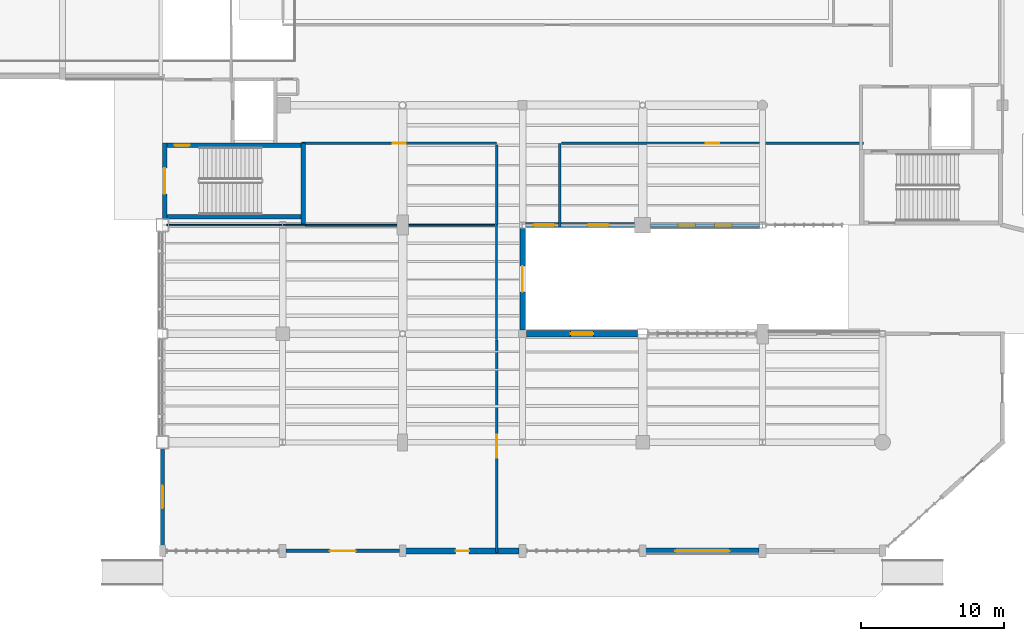
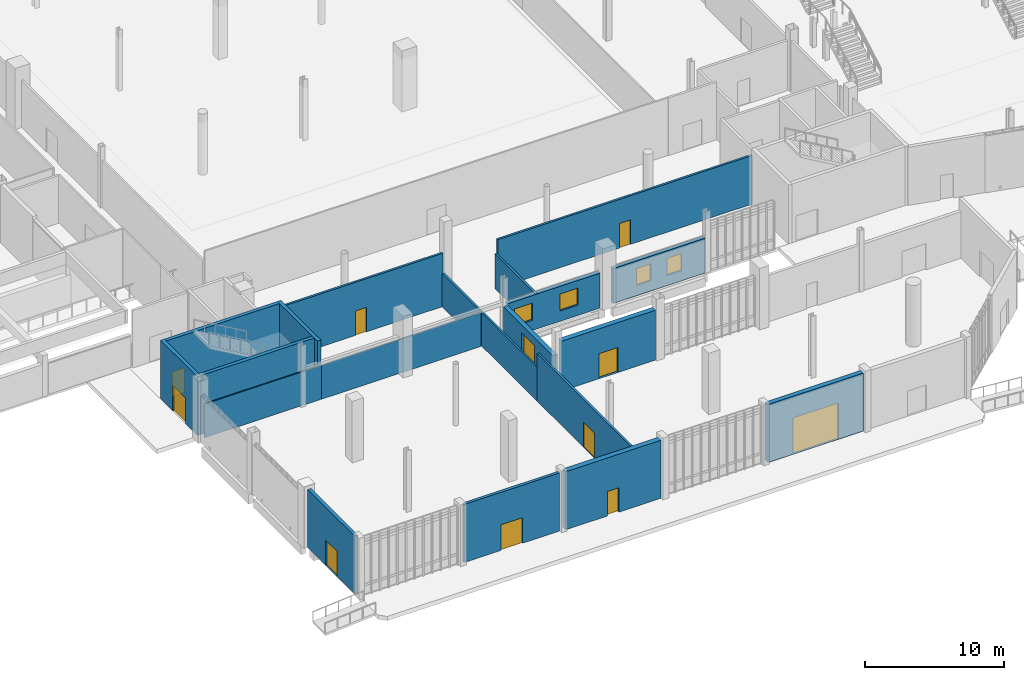
# One storey, part 84 of 111: 20 walls, 11 doors, 4 windows, 15 openings.
"""IFC4 building model written with IfcOpenShell, lengths in metres."""

from ifc_helpers import new_model, si_unit, direction, frame, frame_2d, origin, place, context, subcontext, project, spatial, rectangle, extrude, material, layer, layer_set, type_object, element, fill, save


model = new_model("IFC4")

# Units and contexts
model_context = context("Model", 3, precision=1e-05, world=origin(), true_north=direction((0.0, 1.0)))
body_context = subcontext(model_context, "Body", "Model", "MODEL_VIEW")
ifc_project = project(units=[si_unit("LENGTHUNIT", "METRE"), si_unit("AREAUNIT", "SQUARE_METRE"), si_unit("VOLUMEUNIT", "CUBIC_METRE"), si_unit("PLANEANGLEUNIT", "RADIAN"), si_unit("MASSUNIT", "GRAM", prefix="KILO")], contexts=[model_context])

# Site, building, storey
site_placement = place(None, origin())
site = spatial("IfcSite", under=ifc_project, at=site_placement, CompositionType="ELEMENT")
building_placement = place(site_placement, origin())
building = spatial("IfcBuilding", under=site, at=building_placement, Name="Larkvane Passage Sports Hall", CompositionType="ELEMENT")
storey_placement = place(building_placement, origin())
storey = spatial("IfcBuildingStorey", under=building, at=storey_placement, Name="L00", CompositionType="ELEMENT", Elevation=0.0)

# Walls
ifc_material_1 = material(Name="Concrete C50/60", Category="concrete")
ifc_layer_1 = layer(ifc_material_1, 0.300048828125)
ifc_layer_set_1 = layer_set([ifc_layer_1], Name="Concrete C50/60")
wall_type_1 = type_object("IfcWallType", Name="WL-CORE-300", PredefinedType="SHEAR", material=ifc_layer_set_1)
wall_1_placement = place(storey_placement, frame((44.64990234375, 28.550048828125, 0.0), z_axis=(0.0, 0.0, 1.0), x_axis=(0.0, -1.0, 0.0)))
element("IfcWall", 1, at=wall_1_placement, inside=storey, type_object=wall_type_1, Name="Core shear wall WAL-CORE-C1-L00-E", PredefinedType="SHEAR", context=body_context, shape_type="SweptSolid", body=[
    extrude(rectangle(XDim=5.75, YDim=0.300048828125, at=frame_2d((2.875, 0.0))), origin(), (0.0, 0.0, 1.0), 5.169921875),
])
wall_2_placement = place(storey_placement, frame((44.5, 23.39990234375, 0.0), z_axis=(0.0, 0.0, 1.0), x_axis=(-1.0, 0.0, 0.0)))
element("IfcWall", 2, at=wall_2_placement, inside=storey, type_object=wall_type_1, Name="Core shear wall WAL-CORE-C1-L00-S", PredefinedType="SHEAR", context=body_context, shape_type="SweptSolid", body=[
    extrude(rectangle(XDim=9.39990234375, YDim=0.300048828125, at=frame_2d((4.699951171875, 0.0))), origin(), (0.0, 0.0, 1.0), 5.169921875),
])

# Wall, opening, door
wall_3_placement = place(storey_placement, frame((35.10009765625, 28.39990234375, 0.0), z_axis=(0.0, 0.0, 1.0), x_axis=(1.0, 0.0, 0.0)))
wall_3 = element("IfcWall", 3, at=wall_3_placement, inside=storey, type_object=wall_type_1, Name="Core shear wall WAL-CORE-C1-L00-N", PredefinedType="SHEAR", context=body_context, shape_type="SweptSolid", body=[
    extrude(rectangle(XDim=9.39990234375, YDim=0.300048828125, at=frame_2d((4.699951171875, 0.0))), origin(), (0.0, 0.0, 1.0), 5.169921875),
])
opening_1_placement = place(wall_3_placement, frame((0.550048828125, 0.0, 0.0)))
opening_1 = element("IfcOpeningElement", 4, at=opening_1_placement, cuts=wall_3, Name="Opening DF-01", PredefinedType="OPENING", context=body_context, shape_type="SweptSolid", body=[
    extrude(rectangle(XDim=1.050048828125, YDim=2.199951171875, at=frame_2d((0.52490234375, 1.10009765625))), frame((0.0, 0.159912109375, 0.0), z_axis=(0.0, -1.0, 0.0), x_axis=(1.0, 0.0, 0.0)), (0.0, 0.0, 1.0), 0.320068359375),
])
ifc_material_2 = material(Name="Steel S355JR smoke-sealed fire door", Category="steel")
door_type_1 = type_object("IfcDoorType", Name="DR-FIRE-1050", OperationType="NOTDEFINED", PredefinedType="DOOR", material=ifc_material_2)
door_1_placement = place(opening_1_placement, origin())
door_1 = element("IfcDoor", 5, at=door_1_placement, inside=storey, type_object=door_type_1, Name="Stair ST-01 L00 fire door", OperationType="SINGLE_SWING_RIGHT", OverallHeight=2.199951171875, OverallWidth=1.050048828125, PredefinedType="DOOR", context=body_context, shape_type="SweptSolid", body=[
    extrude(rectangle(XDim=1.050048828125, YDim=2.199951171875, at=frame_2d((0.52490234375, 1.10009765625))), frame((0.0, 0.02490234375, 0.0), z_axis=(0.0, -1.0, 0.0), x_axis=(1.0, 0.0, 0.0)), (0.0, 0.0, 1.0), 0.050048828125),
])
fill(opening_1, door_1)

ifc_layer_2 = layer(ifc_material_1, 0.300048828125)
ifc_layer_set_2 = layer_set([ifc_layer_2], Name="Concrete C50/60")
wall_type_2 = type_object("IfcWallType", Name="WL-CORE-EXT-300", PredefinedType="SHEAR", material=ifc_layer_set_2)
wall_4_placement = place(storey_placement, frame((34.949951171875, 23.25, 0.0), z_axis=(0.0, 0.0, 1.0), x_axis=(0.0, 1.0, 0.0)))
wall_4 = element("IfcWall", 6, at=wall_4_placement, inside=storey, type_object=wall_type_2, Name="Core shear wall WAL-CORE-C1-L00-W", PredefinedType="SHEAR", context=body_context, shape_type="SweptSolid", body=[
    extrude(rectangle(XDim=5.300048828125, YDim=0.300048828125, at=frame_2d((2.64990234375, 0.0))), origin(), (0.0, 0.0, 1.0), 5.169921875),
])
opening_2_placement = place(wall_4_placement, frame((1.75, 0.0, 0.0)))
opening_2 = element("IfcOpeningElement", 7, at=opening_2_placement, cuts=wall_4, Name="Opening DE-03", PredefinedType="OPENING", context=body_context, shape_type="SweptSolid", body=[
    extrude(rectangle(XDim=1.800048828125, YDim=2.25, at=frame_2d((0.89990234375, 1.125))), frame((0.0, 0.159912109375, 0.0), z_axis=(0.0, -1.0, 0.0), x_axis=(1.0, 0.0, 0.0)), (0.0, 0.0, 1.0), 0.320068359375),
])
ifc_material_3 = material(Name="Galvanised steel S355JR fire exit leaf", Category="steel")
door_type_2 = type_object("IfcDoorType", Name="DR-EXIT-1800", OperationType="DOUBLE_DOOR_SINGLE_SWING", PredefinedType="DOOR", material=ifc_material_3)
door_2_placement = place(opening_2_placement, origin())
door_2 = element("IfcDoor", 8, at=door_2_placement, inside=storey, type_object=door_type_2, Name="Stair ST-01 L00 direct final exit door", OperationType="DOUBLE_DOOR_SINGLE_SWING", OverallHeight=2.25, OverallWidth=1.800048828125, PredefinedType="DOOR", context=body_context, shape_type="SweptSolid", body=[
    extrude(rectangle(XDim=1.800048828125, YDim=2.25, at=frame_2d((0.89990234375, 1.125))), frame((0.0, 0.02490234375, 0.0), z_axis=(0.0, -1.0, 0.0), x_axis=(1.0, 0.0, 0.0)), (0.0, 0.0, 1.0), 0.050048828125),
])
fill(opening_2, door_2)

ifc_material_4 = material(Name="Concrete C40/50", Category="concrete")
ifc_layer_3 = layer(ifc_material_4, 0.239990234375)
ifc_layer_set_3 = layer_set([ifc_layer_3], Name="Concrete C40/50")
wall_type_3 = type_object("IfcWallType", Name="WL-EXT-240", PredefinedType="SOLIDWALL", material=ifc_layer_set_3)
wall_5_placement = place(storey_placement, frame((51.37890625, 0.0, 0.0), z_axis=(0.0, 0.0, 1.0), x_axis=(-1.0, 0.0, 0.0)))
wall_5 = element("IfcWall", 9, at=wall_5_placement, inside=storey, type_object=wall_type_3, Name="Exterior wall WAL-EXT-L00-006", PredefinedType="SOLIDWALL", context=body_context, shape_type="SweptSolid", body=[
    extrude(rectangle(XDim=7.932861328125, YDim=0.239990234375, at=frame_2d((3.96630859375, 0.0))), origin(), (0.0, 0.0, 1.0), 5.10009765625),
])
opening_3_placement = place(wall_5_placement, frame((3.06689453125, 0.0, 0.0)))
opening_3 = element("IfcOpeningElement", 10, at=opening_3_placement, cuts=wall_5, Name="Opening DE-03", PredefinedType="OPENING", context=body_context, shape_type="SweptSolid", body=[
    extrude(rectangle(XDim=1.800048828125, YDim=2.25, at=frame_2d((0.89990234375, 1.125))), frame((0.0, 0.1298828125, 0.0), z_axis=(0.0, -1.0, 0.0), x_axis=(1.0, 0.0, 0.0)), (0.0, 0.0, 1.0), 0.260009765625),
])
door_3_placement = place(opening_3_placement, origin())
door_3 = element("IfcDoor", 11, at=door_3_placement, inside=storey, type_object=door_type_2, Name="Exterior door L00-006", OperationType="DOUBLE_DOOR_SINGLE_SWING", OverallHeight=2.25, OverallWidth=1.800048828125, PredefinedType="DOOR", context=body_context, shape_type="SweptSolid", body=[
    extrude(rectangle(XDim=1.800048828125, YDim=2.25, at=frame_2d((0.89990234375, 1.125))), frame((0.0, 0.02490234375, 0.0), z_axis=(0.0, -1.0, 0.0), x_axis=(1.0, 0.0, 0.0)), (0.0, 0.0, 1.0), 0.050048828125),
])
fill(opening_3, door_3)

ifc_layer_4 = layer(ifc_material_4, 0.27490234375)
ifc_layer_set_4 = layer_set([ifc_layer_4], Name="Concrete C40/50")
wall_type_4 = type_object("IfcWallType", Name="WL-EXT-275", PredefinedType="SOLIDWALL", material=ifc_layer_set_4)
wall_6_placement = place(storey_placement, frame((34.800048828125, 0.39599609375, 0.0), z_axis=(0.0, 0.0, 1.0), x_axis=(0.0, 1.0, 0.0)))
wall_6 = element("IfcWall", 12, at=wall_6_placement, inside=storey, type_object=wall_type_4, Name="Exterior wall WAL-EXT-L00-007", PredefinedType="SOLIDWALL", context=body_context, shape_type="SweptSolid", body=[
    extrude(rectangle(XDim=6.758056640625, YDim=0.27490234375, at=frame_2d((3.37890625, 0.0))), origin(), (0.0, 0.0, 1.0), 5.090087890625),
])
opening_4_placement = place(wall_6_placement, frame((2.5791015625, 0.0, 0.0)))
opening_4 = element("IfcOpeningElement", 13, at=opening_4_placement, cuts=wall_6, Name="Opening DE-04", PredefinedType="OPENING", context=body_context, shape_type="SweptSolid", body=[
    extrude(rectangle(XDim=1.60009765625, YDim=2.199951171875, at=frame_2d((0.800048828125, 1.10009765625))), frame((0.0, 0.1474609375, 0.0), z_axis=(0.0, -1.0, 0.0), x_axis=(1.0, 0.0, 0.0)), (0.0, 0.0, 1.0), 0.294921875),
])
door_type_3 = type_object("IfcDoorType", Name="DR-EXIT-1600", OperationType="DOUBLE_DOOR_SINGLE_SWING", PredefinedType="DOOR", material=ifc_material_3)
door_4_placement = place(opening_4_placement, origin())
door_4 = element("IfcDoor", 14, at=door_4_placement, inside=storey, type_object=door_type_3, Name="Exterior door L00-007", OperationType="DOUBLE_DOOR_SINGLE_SWING", OverallHeight=2.199951171875, OverallWidth=1.60009765625, PredefinedType="DOOR", context=body_context, shape_type="SweptSolid", body=[
    extrude(rectangle(XDim=1.60009765625, YDim=2.199951171875, at=frame_2d((0.800048828125, 1.10009765625))), frame((0.0, 0.02490234375, 0.0), z_axis=(0.0, -1.0, 0.0), x_axis=(1.0, 0.0, 0.0)), (0.0, 0.0, 1.0), 0.050048828125),
])
fill(opening_4, door_4)

# Wall, openings, windows
ifc_material_5 = material(Name="Precast concrete C45/55", Category="concrete")
ifc_layer_5 = layer(ifc_material_5, 0.31005859375)
ifc_layer_set_5 = layer_set([ifc_layer_5], Name="Precast concrete C45/55")
wall_type_5 = type_object("IfcWallType", Name="WL-EXT-310", PredefinedType="SOLIDWALL", material=ifc_layer_set_5)
wall_7_placement = place(storey_placement, frame((76.6015625, 22.800048828125, 0.0), z_axis=(0.0, 0.0, 1.0), x_axis=(-1.0, 0.0, 0.0)))
wall_7 = element("IfcWall", 15, at=wall_7_placement, inside=storey, type_object=wall_type_5, Name="Exterior wall WAL-EXT-L00-056", PredefinedType="SOLIDWALL", context=body_context, shape_type="SweptSolid", body=[
    extrude(rectangle(XDim=7.655517578125, YDim=0.31005859375, at=frame_2d((3.82763671875, 0.0))), origin(), (0.0, 0.0, 1.0), 3.06298828125),
])
opening_5_placement = place(wall_7_placement, frame((1.951904296875, 0.0, 0.89990234375)))
opening_5 = element("IfcOpeningElement", 16, at=opening_5_placement, cuts=wall_7, Name="Opening W-07", PredefinedType="OPENING", context=body_context, shape_type="SweptSolid", body=[
    extrude(rectangle(XDim=1.199951171875, YDim=1.5, at=frame_2d((0.60009765625, 0.75))), frame((0.0, 0.1650390625, 0.0), z_axis=(0.0, -1.0, 0.0), x_axis=(1.0, 0.0, 0.0)), (0.0, 0.0, 1.0), 0.330078125),
])
opening_6_placement = place(wall_7_placement, frame((4.50390625, 0.0, 0.89990234375)))
opening_6 = element("IfcOpeningElement", 17, at=opening_6_placement, cuts=wall_7, Name="Opening W-07", PredefinedType="OPENING", context=body_context, shape_type="SweptSolid", body=[
    extrude(rectangle(XDim=1.199951171875, YDim=1.5, at=frame_2d((0.60009765625, 0.75))), frame((0.0, 0.1650390625, 0.0), z_axis=(0.0, -1.0, 0.0), x_axis=(1.0, 0.0, 0.0)), (0.0, 0.0, 1.0), 0.330078125),
])
ifc_material_6 = material(Name="Thermally broken aluminium and laminated low-E glass", Category="aluminium")
window_type_1 = type_object("IfcWindowType", Name="WN-CAS-1200x1500", PartitioningType="DOUBLE_PANEL_VERTICAL", PredefinedType="WINDOW", material=ifc_material_6)
window_1_placement = place(opening_5_placement, origin())
window_1 = element("IfcWindow", 18, at=window_1_placement, inside=storey, type_object=window_type_1, Name="Window L00-009", OverallHeight=1.5, OverallWidth=1.199951171875, PartitioningType="DOUBLE_PANEL_VERTICAL", PredefinedType="WINDOW", context=body_context, shape_type="SweptSolid", body=[
    extrude(rectangle(XDim=1.199951171875, YDim=1.5, at=frame_2d((0.60009765625, 0.75))), frame((0.0, 0.030029296875, 0.0), z_axis=(0.0, -1.0, 0.0), x_axis=(1.0, 0.0, 0.0)), (0.0, 0.0, 1.0), 0.06005859375),
])
fill(opening_5, window_1)
window_2_placement = place(opening_6_placement, origin())
window_2 = element("IfcWindow", 19, at=window_2_placement, inside=storey, type_object=window_type_1, Name="Window L00-010", OverallHeight=1.5, OverallWidth=1.199951171875, PartitioningType="DOUBLE_PANEL_VERTICAL", PredefinedType="WINDOW", context=body_context, shape_type="SweptSolid", body=[
    extrude(rectangle(XDim=1.199951171875, YDim=1.5, at=frame_2d((0.60009765625, 0.75))), frame((0.0, 0.030029296875, 0.0), z_axis=(0.0, -1.0, 0.0), x_axis=(1.0, 0.0, 0.0)), (0.0, 0.0, 1.0), 0.06005859375),
])
fill(opening_6, window_2)

ifc_layer_6 = layer(ifc_material_5, 0.344970703125)
ifc_layer_set_6 = layer_set([ifc_layer_6], Name="Precast concrete C45/55")
wall_type_6 = type_object("IfcWallType", Name="WL-EXT-345", PredefinedType="SOLIDWALL", material=ifc_layer_set_6)
wall_8_placement = place(storey_placement, frame((67.85400390625, 22.800048828125, 0.0), z_axis=(0.0, 0.0, 1.0), x_axis=(-1.0, 0.0, 0.0)))
wall_8 = element("IfcWall", 20, at=wall_8_placement, inside=storey, type_object=wall_type_6, Name="Exterior wall WAL-EXT-L00-057", PredefinedType="SOLIDWALL", context=body_context, shape_type="SweptSolid", body=[
    extrude(rectangle(XDim=7.654541015625, YDim=0.344970703125, at=frame_2d((3.8271484375, 0.0))), origin(), (0.0, 0.0, 1.0), 3.06298828125),
])
opening_7_placement = place(wall_8_placement, frame((1.801025390625, 0.0, 0.89990234375)))
opening_7 = element("IfcOpeningElement", 21, at=opening_7_placement, cuts=wall_8, Name="Opening W-08", PredefinedType="OPENING", context=body_context, shape_type="SweptSolid", body=[
    extrude(rectangle(XDim=1.5, YDim=1.5, at=frame_2d((0.75, 0.75))), frame((0.0, 0.182373046875, 0.0), z_axis=(0.0, -1.0, 0.0), x_axis=(1.0, 0.0, 0.0)), (0.0, 0.0, 1.0), 0.364990234375),
])
opening_8_placement = place(wall_8_placement, frame((5.60400390625, 0.0, 0.89990234375)))
opening_8 = element("IfcOpeningElement", 22, at=opening_8_placement, cuts=wall_8, Name="Opening W-08", PredefinedType="OPENING", context=body_context, shape_type="SweptSolid", body=[
    extrude(rectangle(XDim=1.5, YDim=1.5, at=frame_2d((0.75, 0.75))), frame((0.0, 0.182373046875, 0.0), z_axis=(0.0, -1.0, 0.0), x_axis=(1.0, 0.0, 0.0)), (0.0, 0.0, 1.0), 0.364990234375),
])
window_type_2 = type_object("IfcWindowType", Name="WN-CAS-1500x1500", PartitioningType="DOUBLE_PANEL_VERTICAL", PredefinedType="WINDOW", material=ifc_material_6)
window_3_placement = place(opening_7_placement, origin())
window_3 = element("IfcWindow", 23, at=window_3_placement, inside=storey, type_object=window_type_2, Name="Window L00-011", OverallHeight=1.5, OverallWidth=1.5, PartitioningType="DOUBLE_PANEL_VERTICAL", PredefinedType="WINDOW", context=body_context, shape_type="SweptSolid", body=[
    extrude(rectangle(XDim=1.5, YDim=1.5, at=frame_2d((0.75, 0.75))), frame((0.0, 0.030029296875, 0.0), z_axis=(0.0, -1.0, 0.0), x_axis=(1.0, 0.0, 0.0)), (0.0, 0.0, 1.0), 0.06005859375),
])
fill(opening_7, window_3)
window_4_placement = place(opening_8_placement, origin())
window_4 = element("IfcWindow", 24, at=window_4_placement, inside=storey, type_object=window_type_2, Name="Window L00-012", OverallHeight=1.5, OverallWidth=1.5, PartitioningType="DOUBLE_PANEL_VERTICAL", PredefinedType="WINDOW", context=body_context, shape_type="SweptSolid", body=[
    extrude(rectangle(XDim=1.5, YDim=1.5, at=frame_2d((0.75, 0.75))), frame((0.0, 0.030029296875, 0.0), z_axis=(0.0, -1.0, 0.0), x_axis=(1.0, 0.0, 0.0)), (0.0, 0.0, 1.0), 0.06005859375),
])
fill(opening_8, window_4)

# Wall, opening, door
ifc_layer_7 = layer(ifc_material_4, 0.385009765625)
ifc_layer_set_7 = layer_set([ifc_layer_7], Name="Concrete C40/50")
wall_type_7 = type_object("IfcWallType", Name="WL-EXT-385", PredefinedType="SOLIDWALL", material=ifc_layer_set_7)
wall_9_placement = place(storey_placement, frame((76.553955078125, 0.0, 0.0), z_axis=(0.0, 0.0, 1.0), x_axis=(-1.0, 0.0, 0.0)))
wall_9 = element("IfcWall", 25, at=wall_9_placement, inside=storey, type_object=wall_type_7, Name="Exterior wall WAL-EXT-L00-004", PredefinedType="SOLIDWALL", context=body_context, shape_type="SweptSolid", body=[
    extrude(rectangle(XDim=7.932861328125, YDim=0.385009765625, at=frame_2d((3.96630859375, 0.0))), origin(), (0.0, 0.0, 1.0), 5.10009765625),
])
opening_9_placement = place(wall_9_placement, frame((2.06591796875, 0.0, 0.0)))
opening_9 = element("IfcOpeningElement", 26, at=opening_9_placement, cuts=wall_9, Name="Opening DE-07", PredefinedType="OPENING", context=body_context, shape_type="SweptSolid", body=[
    extrude(rectangle(XDim=3.800048828125, YDim=3.199951171875, at=frame_2d((1.89990234375, 1.60009765625))), frame((0.0, 0.202392578125, 0.0), z_axis=(0.0, -1.0, 0.0), x_axis=(1.0, 0.0, 0.0)), (0.0, 0.0, 1.0), 0.405029296875),
])
ifc_material_7 = material(Name="Galvanised steel S355JR loading shutter", Category="steel")
door_type_4 = type_object("IfcDoorType", Name="DR-ROLL-3800", OperationType="ROLLINGUP", PredefinedType="DOOR", material=ifc_material_7)
door_5_placement = place(opening_9_placement, origin())
door_5 = element("IfcDoor", 27, at=door_5_placement, inside=storey, type_object=door_type_4, Name="Exterior door L00-004", OperationType="ROLLINGUP", OverallHeight=3.199951171875, OverallWidth=3.800048828125, PredefinedType="DOOR", context=body_context, shape_type="SweptSolid", body=[
    extrude(rectangle(XDim=3.800048828125, YDim=3.199951171875, at=frame_2d((1.89990234375, 1.60009765625))), frame((0.0, 0.02490234375, 0.0), z_axis=(0.0, -1.0, 0.0), x_axis=(1.0, 0.0, 0.0)), (0.0, 0.0, 1.0), 0.050048828125),
])
fill(opening_9, door_5)

wall_10_placement = place(storey_placement, frame((60.0, 22.590087890625, 0.0), z_axis=(0.0, 0.0, 1.0), x_axis=(0.0, -1.0, 0.0)))
wall_10 = element("IfcWall", 28, at=wall_10_placement, inside=storey, type_object=wall_type_7, Name="Exterior wall WAL-EXT-L00-058", PredefinedType="SOLIDWALL", context=body_context, shape_type="SweptSolid", body=[
    extrude(rectangle(XDim=7.119140625, YDim=0.385009765625, at=frame_2d((3.5595703125, 0.0))), origin(), (0.0, 0.0, 1.0), 2.962890625),
])
opening_10_placement = place(wall_10_placement, frame((2.658935546875, 0.0, 0.0)))
opening_10 = element("IfcOpeningElement", 29, at=opening_10_placement, cuts=wall_10, Name="Opening DE-03", PredefinedType="OPENING", context=body_context, shape_type="SweptSolid", body=[
    extrude(rectangle(XDim=1.800048828125, YDim=2.25, at=frame_2d((0.89990234375, 1.125))), frame((0.0, 0.202392578125, 0.0), z_axis=(0.0, -1.0, 0.0), x_axis=(1.0, 0.0, 0.0)), (0.0, 0.0, 1.0), 0.405029296875),
])
door_6_placement = place(opening_10_placement, origin())
door_6 = element("IfcDoor", 30, at=door_6_placement, inside=storey, type_object=door_type_2, Name="Exterior door L00-030", OperationType="DOUBLE_DOOR_SINGLE_SWING", OverallHeight=2.25, OverallWidth=1.800048828125, PredefinedType="DOOR", context=body_context, shape_type="SweptSolid", body=[
    extrude(rectangle(XDim=1.800048828125, YDim=2.25, at=frame_2d((0.89990234375, 1.125))), frame((0.0, 0.02490234375, 0.0), z_axis=(0.0, -1.0, 0.0), x_axis=(1.0, 0.0, 0.0)), (0.0, 0.0, 1.0), 0.050048828125),
])
fill(opening_10, door_6)

ifc_layer_8 = layer(ifc_material_4, 0.425048828125)
ifc_layer_set_8 = layer_set([ifc_layer_8], Name="Concrete C40/50")
wall_type_8 = type_object("IfcWallType", Name="WL-EXT-425", PredefinedType="SOLIDWALL", material=ifc_layer_set_8)
wall_11_placement = place(storey_placement, frame((59.75390625, 0.0, 0.0), z_axis=(0.0, 0.0, 1.0), x_axis=(-1.0, 0.0, 0.0)))
wall_11 = element("IfcWall", 31, at=wall_11_placement, inside=storey, type_object=wall_type_8, Name="Exterior wall WAL-EXT-L00-005", PredefinedType="SOLIDWALL", context=body_context, shape_type="SweptSolid", body=[
    extrude(rectangle(XDim=7.932861328125, YDim=0.425048828125, at=frame_2d((3.96630859375, 0.0))), origin(), (0.0, 0.0, 1.0), 5.10009765625),
])
opening_11_placement = place(wall_11_placement, frame((3.490966796875, 0.0, 0.0)))
opening_11 = element("IfcOpeningElement", 32, at=opening_11_placement, cuts=wall_11, Name="Opening DE-08", PredefinedType="OPENING", context=body_context, shape_type="SweptSolid", body=[
    extrude(rectangle(XDim=0.949951171875, YDim=2.14990234375, at=frame_2d((0.47509765625, 1.074951171875))), frame((0.0, 0.222412109375, 0.0), z_axis=(0.0, -1.0, 0.0), x_axis=(1.0, 0.0, 0.0)), (0.0, 0.0, 1.0), 0.445068359375),
])
door_type_5 = type_object("IfcDoorType", Name="DR-FIRE-950", OperationType="NOTDEFINED", PredefinedType="DOOR", material=ifc_material_3)
door_7_placement = place(opening_11_placement, origin())
door_7 = element("IfcDoor", 33, at=door_7_placement, inside=storey, type_object=door_type_5, Name="Exterior door L00-005", OperationType="SINGLE_SWING_LEFT", OverallHeight=2.14990234375, OverallWidth=0.949951171875, PredefinedType="DOOR", context=body_context, shape_type="SweptSolid", body=[
    extrude(rectangle(XDim=0.949951171875, YDim=2.14990234375, at=frame_2d((0.47509765625, 1.074951171875))), frame((0.0, 0.02490234375, 0.0), z_axis=(0.0, -1.0, 0.0), x_axis=(1.0, 0.0, 0.0)), (0.0, 0.0, 1.0), 0.050048828125),
])
fill(opening_11, door_7)

wall_12_placement = place(storey_placement, frame((60.27099609375, 15.199951171875, 0.0), z_axis=(0.0, 0.0, 1.0), x_axis=(1.0, 0.0, 0.0)))
wall_12 = element("IfcWall", 34, at=wall_12_placement, inside=storey, type_object=wall_type_8, Name="Exterior wall WAL-EXT-L00-059", PredefinedType="SOLIDWALL", context=body_context, shape_type="SweptSolid", body=[
    extrude(rectangle(XDim=7.782958984375, YDim=0.425048828125, at=frame_2d((3.8916015625, 0.0))), origin(), (0.0, 0.0, 1.0), 4.3798828125),
])
opening_12_placement = place(wall_12_placement, frame((3.092041015625, 0.0, 0.0)))
opening_12 = element("IfcOpeningElement", 35, at=opening_12_placement, cuts=wall_12, Name="Opening DE-04", PredefinedType="OPENING", context=body_context, shape_type="SweptSolid", body=[
    extrude(rectangle(XDim=1.60009765625, YDim=2.199951171875, at=frame_2d((0.800048828125, 1.10009765625))), frame((0.0, 0.222412109375, 0.0), z_axis=(0.0, -1.0, 0.0), x_axis=(1.0, 0.0, 0.0)), (0.0, 0.0, 1.0), 0.445068359375),
])
door_8_placement = place(opening_12_placement, origin())
door_8 = element("IfcDoor", 36, at=door_8_placement, inside=storey, type_object=door_type_3, Name="Exterior door L00-031", OperationType="DOUBLE_DOOR_SINGLE_SWING", OverallHeight=2.199951171875, OverallWidth=1.60009765625, PredefinedType="DOOR", context=body_context, shape_type="SweptSolid", body=[
    extrude(rectangle(XDim=1.60009765625, YDim=2.199951171875, at=frame_2d((0.800048828125, 1.10009765625))), frame((0.0, 0.02490234375, 0.0), z_axis=(0.0, -1.0, 0.0), x_axis=(1.0, 0.0, 0.0)), (0.0, 0.0, 1.0), 0.050048828125),
])
fill(opening_12, door_8)

# Walls
ifc_material_8 = material(Name="Gypsum twin-stud acoustic partition")
ifc_layer_9 = layer(ifc_material_8, 0.10009765625)
ifc_layer_set_9 = layer_set([ifc_layer_9], Name="Gypsum twin-stud acoustic partition")
wall_type_9 = type_object("IfcWallType", Name="WL-PART-100", PredefinedType="PARTITIONING", material=ifc_layer_set_9)
wall_13_placement = place(storey_placement, frame((35.10400390625, 22.800048828125, 0.0), z_axis=(0.0, 0.0, 1.0), x_axis=(1.0, 0.0, 0.0)))
element("IfcWall", 37, at=wall_13_placement, inside=storey, type_object=wall_type_9, Name="Interior partition WAL-PART-L00-0044", PredefinedType="PARTITIONING", context=body_context, shape_type="SweptSolid", body=[
    extrude(rectangle(XDim=9.719970703125, YDim=0.10009765625, at=frame_2d((4.85986328125, 0.0))), origin(), (0.0, 0.0, 1.0), 2.965087890625),
])
ifc_material_9 = material(Name="Gypsum twin-stud fire-rated partition")
ifc_layer_10 = layer(ifc_material_9, 0.125)
ifc_layer_set_10 = layer_set([ifc_layer_10], Name="Gypsum twin-stud fire-rated partition")
wall_type_10 = type_object("IfcWallType", Name="WL-PART-125", PredefinedType="PARTITIONING", material=ifc_layer_set_10)
wall_14_placement = place(storey_placement, frame((44.7958984375, 22.800048828125, 0.0), z_axis=(0.0, 0.0, 1.0), x_axis=(1.0, 0.0, 0.0)))
element("IfcWall", 38, at=wall_14_placement, inside=storey, type_object=wall_type_10, Name="Interior partition WAL-PART-L00-0045", PredefinedType="PARTITIONING", context=body_context, shape_type="SweptSolid", body=[
    extrude(rectangle(XDim=13.26416015625, YDim=0.125, at=frame_2d((6.632080078125, 0.0))), origin(), (0.0, 0.0, 1.0), 2.965087890625),
])
ifc_material_10 = material(Name="Gypsum acoustic partition")
ifc_layer_11 = layer(ifc_material_10, 0.14990234375)
ifc_layer_set_11 = layer_set([ifc_layer_11], Name="Gypsum acoustic partition")
wall_type_11 = type_object("IfcWallType", Name="WL-PART-150", PredefinedType="PARTITIONING", material=ifc_layer_set_11)
wall_15_placement = place(storey_placement, frame((58.179931640625, 22.800048828125, 0.0), z_axis=(0.0, 0.0, 1.0), x_axis=(0.0, -1.0, 0.0)))
element("IfcWall", 39, at=wall_15_placement, inside=storey, type_object=wall_type_11, Name="Interior partition WAL-PART-L00-0042", PredefinedType="PARTITIONING", context=body_context, shape_type="SweptSolid", body=[
    extrude(rectangle(XDim=8.0, YDim=0.14990234375, at=frame_2d((4.0, 0.0))), origin(), (0.0, 0.0, 1.0), 2.965087890625),
])

# Wall, opening, door
ifc_material_11 = material(Name="Gypsum high-bay court partition")
ifc_layer_12 = layer(ifc_material_11, 0.179931640625)
ifc_layer_set_12 = layer_set([ifc_layer_12], Name="Gypsum high-bay court partition")
wall_type_12 = type_object("IfcWallType", Name="WL-PART-180", PredefinedType="PARTITIONING", material=ifc_layer_set_12)
wall_16_placement = place(storey_placement, frame((58.199951171875, 14.780029296875, 0.0), z_axis=(0.0, 0.0, 1.0), x_axis=(0.0, -1.0, 0.0)))
wall_16 = element("IfcWall", 40, at=wall_16_placement, inside=storey, type_object=wall_type_12, Name="Interior partition WAL-PART-L00-0043", PredefinedType="PARTITIONING", context=body_context, shape_type="SweptSolid", body=[
    extrude(rectangle(XDim=14.8916015625, YDim=0.179931640625, at=frame_2d((7.44580078125, 0.0))), origin(), (0.0, 0.0, 1.0), 4.177978515625),
])
opening_13_placement = place(wall_16_placement, frame((6.64599609375, 0.0, 0.0)))
opening_13 = element("IfcOpeningElement", 41, at=opening_13_placement, cuts=wall_16, Name="Opening DI-03", PredefinedType="OPENING", context=body_context, shape_type="SweptSolid", body=[
    extrude(rectangle(XDim=1.60009765625, YDim=2.199951171875, at=frame_2d((0.800048828125, 1.10009765625))), frame((0.0, 0.099853515625, 0.0), z_axis=(0.0, -1.0, 0.0), x_axis=(1.0, 0.0, 0.0)), (0.0, 0.0, 1.0), 0.199951171875),
])
ifc_material_12 = material(Name="Glazed aluminium studio double door", Category="aluminium")
door_type_6 = type_object("IfcDoorType", Name="DR-INT-1600", OperationType="DOUBLE_DOOR_SINGLE_SWING", PredefinedType="DOOR", material=ifc_material_12)
door_9_placement = place(opening_13_placement, origin())
door_9 = element("IfcDoor", 42, at=door_9_placement, inside=storey, type_object=door_type_6, Name="Interior door L00-0023", OperationType="DOUBLE_DOOR_SINGLE_SWING", OverallHeight=2.199951171875, OverallWidth=1.60009765625, PredefinedType="DOOR", context=body_context, shape_type="SweptSolid", body=[
    extrude(rectangle(XDim=1.60009765625, YDim=2.199951171875, at=frame_2d((0.800048828125, 1.10009765625))), frame((0.0, 0.02490234375, 0.0), z_axis=(0.0, -1.0, 0.0), x_axis=(1.0, 0.0, 0.0)), (0.0, 0.0, 1.0), 0.050048828125),
])
fill(opening_13, door_9)

ifc_material_13 = material(Name="Moisture-resistant shaftliner partition")
ifc_layer_13 = layer(ifc_material_13, 0.175048828125)
ifc_layer_set_13 = layer_set([ifc_layer_13], Name="Moisture-resistant shaftliner partition")
wall_type_13 = type_object("IfcWallType", Name="WL-PLUMB-175", PredefinedType="PLUMBINGWALL", material=ifc_layer_set_13)
wall_17_placement = place(storey_placement, frame((44.5400390625, 28.530029296875, 0.0), z_axis=(0.0, 0.0, 1.0), x_axis=(1.0, 0.0, 0.0)))
wall_17 = element("IfcWall", 43, at=wall_17_placement, inside=storey, type_object=wall_type_13, Name="Interior partition WAL-PART-L00-0051", PredefinedType="PLUMBINGWALL", context=body_context, shape_type="SweptSolid", body=[
    extrude(rectangle(XDim=13.639892578125, YDim=0.175048828125, at=frame_2d((6.81982421875, 0.0))), origin(), (0.0, 0.0, 1.0), 4.669921875),
])
opening_14_placement = place(wall_17_placement, frame((6.360107421875, 0.0, 0.0)))
opening_14 = element("IfcOpeningElement", 44, at=opening_14_placement, cuts=wall_17, Name="Opening DI-02", PredefinedType="OPENING", context=body_context, shape_type="SweptSolid", body=[
    extrude(rectangle(XDim=0.919921875, YDim=2.14990234375, at=frame_2d((0.4599609375, 1.074951171875))), frame((0.0, 0.097412109375, 0.0), z_axis=(0.0, -1.0, 0.0), x_axis=(1.0, 0.0, 0.0)), (0.0, 0.0, 1.0), 0.195068359375),
])
ifc_material_14 = material(Name="Moisture-resistant laminate room door")
door_type_7 = type_object("IfcDoorType", Name="DR-INT-900", OperationType="NOTDEFINED", PredefinedType="DOOR", material=ifc_material_14)
door_10_placement = place(opening_14_placement, origin())
door_10 = element("IfcDoor", 45, at=door_10_placement, inside=storey, type_object=door_type_7, Name="Interior door L00-0025", OperationType="SINGLE_SWING_LEFT", OverallHeight=2.14990234375, OverallWidth=0.919921875, PredefinedType="DOOR", context=body_context, shape_type="SweptSolid", body=[
    extrude(rectangle(XDim=0.919921875, YDim=2.14990234375, at=frame_2d((0.4599609375, 1.074951171875))), frame((0.0, 0.02490234375, 0.0), z_axis=(0.0, -1.0, 0.0), x_axis=(1.0, 0.0, 0.0)), (0.0, 0.0, 1.0), 0.050048828125),
])
fill(opening_14, door_10)

# Walls
wall_18_placement = place(storey_placement, frame((58.179931640625, 28.409912109375, 0.0), z_axis=(0.0, 0.0, 1.0), x_axis=(0.0, -1.0, 0.0)))
element("IfcWall", 46, at=wall_18_placement, inside=storey, type_object=wall_type_13, Name="Interior partition WAL-PART-L00-0052", PredefinedType="PLUMBINGWALL", context=body_context, shape_type="SweptSolid", body=[
    extrude(rectangle(XDim=5.58984375, YDim=0.175048828125, at=frame_2d((2.794921875, 0.0))), origin(), (0.0, 0.0, 1.0), 2.965087890625),
])
wall_19_placement = place(storey_placement, frame((62.6201171875, 22.6484375, 0.0), z_axis=(0.0, 0.0, 1.0), x_axis=(0.0, 1.0, 0.0)))
element("IfcWall", 47, at=wall_19_placement, inside=storey, type_object=wall_type_13, Name="Interior partition WAL-PART-L00-0053", PredefinedType="PLUMBINGWALL", context=body_context, shape_type="SweptSolid", body=[
    extrude(rectangle(XDim=5.881591796875, YDim=0.175048828125, at=frame_2d((2.94091796875, 0.0))), origin(), (0.0, 0.0, 1.0), 3.06494140625),
])

# Wall, opening, door
wall_20_placement = place(storey_placement, frame((62.739990234375, 28.530029296875, 0.0), z_axis=(0.0, 0.0, 1.0), x_axis=(1.0, 0.0, 0.0)))
wall_20 = element("IfcWall", 48, at=wall_20_placement, inside=storey, type_object=wall_type_13, Name="Interior partition WAL-PART-L00-0054", PredefinedType="PLUMBINGWALL", context=body_context, shape_type="SweptSolid", body=[
    extrude(rectangle(XDim=21.1201171875, YDim=0.175048828125, at=frame_2d((10.56005859375, 0.0))), origin(), (0.0, 0.0, 1.0), 4.27001953125),
])
opening_15_placement = place(wall_20_placement, frame((10.10009765625, 0.0, 0.0)))
opening_15 = element("IfcOpeningElement", 49, at=opening_15_placement, cuts=wall_20, Name="Opening DI-02", PredefinedType="OPENING", context=body_context, shape_type="SweptSolid", body=[
    extrude(rectangle(XDim=0.919921875, YDim=2.14990234375, at=frame_2d((0.4599609375, 1.074951171875))), frame((0.0, 0.097412109375, 0.0), z_axis=(0.0, -1.0, 0.0), x_axis=(1.0, 0.0, 0.0)), (0.0, 0.0, 1.0), 0.195068359375),
])
door_11_placement = place(opening_15_placement, origin())
door_11 = element("IfcDoor", 50, at=door_11_placement, inside=storey, type_object=door_type_7, Name="Interior door L00-0021", OperationType="SINGLE_SWING_LEFT", OverallHeight=2.14990234375, OverallWidth=0.919921875, PredefinedType="DOOR", context=body_context, shape_type="SweptSolid", body=[
    extrude(rectangle(XDim=0.919921875, YDim=2.14990234375, at=frame_2d((0.4599609375, 1.074951171875))), frame((0.0, 0.02490234375, 0.0), z_axis=(0.0, -1.0, 0.0), x_axis=(1.0, 0.0, 0.0)), (0.0, 0.0, 1.0), 0.050048828125),
])
fill(opening_15, door_11)

save(model, "model.ifc")
